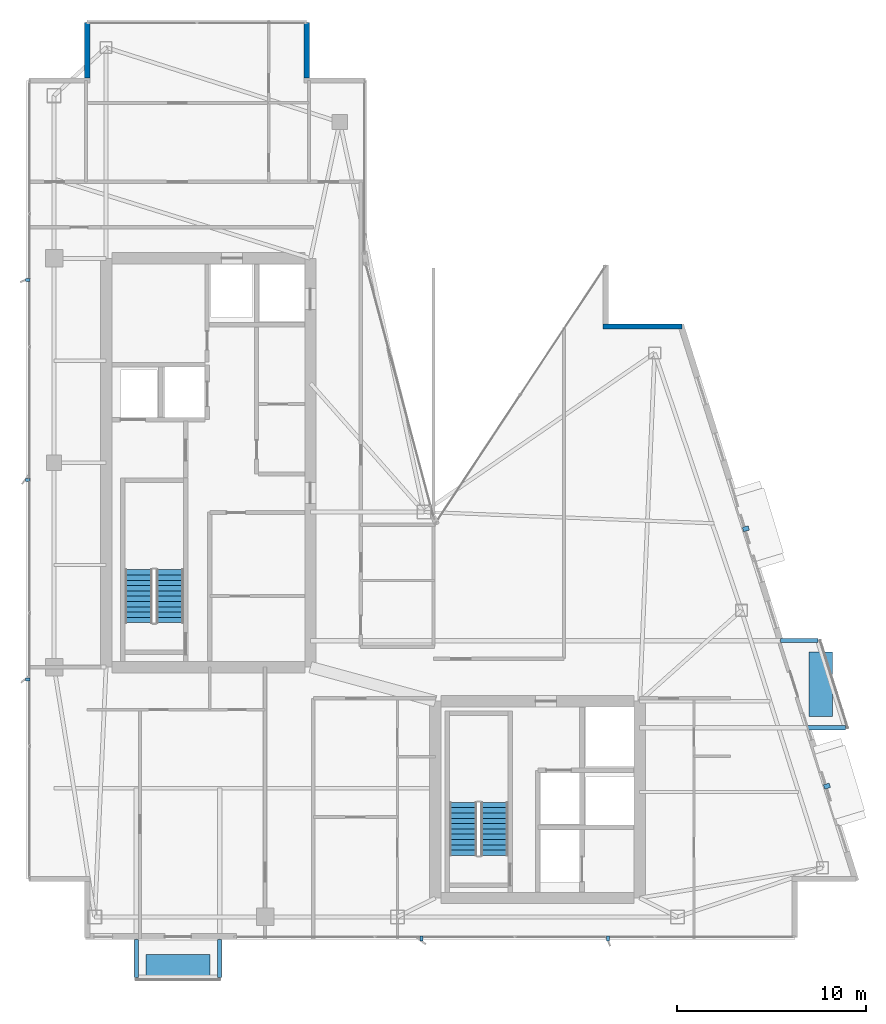
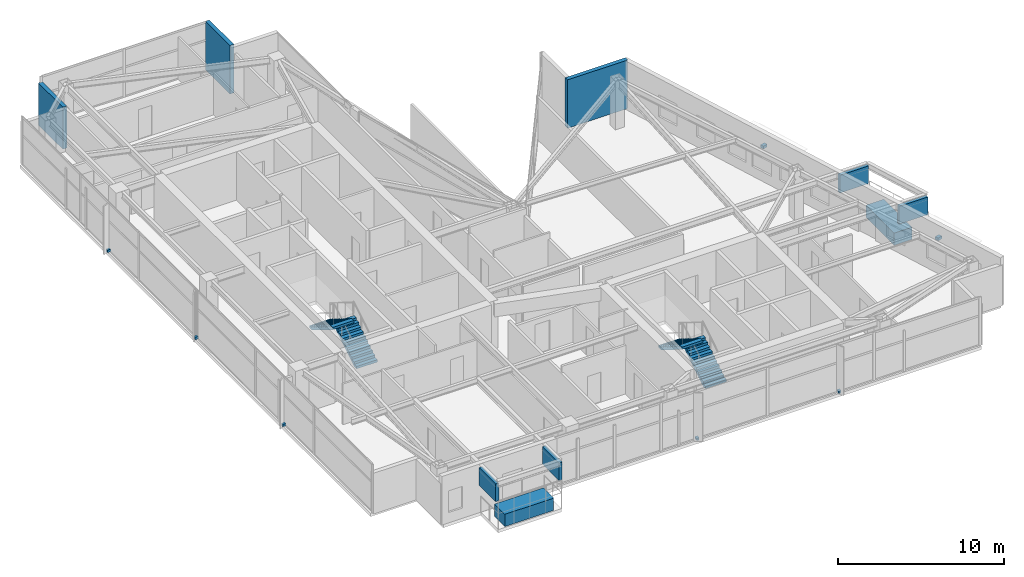
# One storey, part 26 of 28: 13 discrete accessories, 4 stair flights, 3 walls, 2 elements without a shape of their own.
"""IFC4 building model written with IfcOpenShell, lengths in metres."""

from ifc_helpers import new_model, si_unit, direction, frame, frame_2d, origin, origin_2d, place, context, subcontext, project, spatial, polyline, rectangle, outline, extrude, material, layer, layer_set, type_object, element, aggregate, save


model = new_model("IFC4")

# Units and contexts
model_context = context("Model", 3, precision=1e-05, world=origin(), true_north=direction((0.0, 1.0)))
body_context = subcontext(model_context, "Body", "Model", "MODEL_VIEW")
ifc_project = project(units=[si_unit("LENGTHUNIT", "METRE"), si_unit("AREAUNIT", "SQUARE_METRE"), si_unit("VOLUMEUNIT", "CUBIC_METRE"), si_unit("PLANEANGLEUNIT", "RADIAN"), si_unit("MASSUNIT", "GRAM", prefix="KILO")], contexts=[model_context])

# Site, building, storey
site_placement = place(None, origin())
site = spatial("IfcSite", under=ifc_project, at=site_placement, CompositionType="ELEMENT")
building_placement = place(site_placement, origin())
building = spatial("IfcBuilding", under=site, at=building_placement, Name="Calvorn Quay Hotel", CompositionType="ELEMENT")
storey_placement = place(building_placement, frame((0.0, 0.0, 271.10009765625)))
storey = spatial("IfcBuildingStorey", under=building, at=storey_placement, Name="L67", CompositionType="ELEMENT", Elevation=271.10009765625)

# Walls
ifc_material_1 = material(Name="Concrete C40", Category="concrete")
ifc_layer = layer(ifc_material_1, 0.320068359375)
ifc_layer_set = layer_set([ifc_layer], Name="WL-EXT-SPANDREL-320")
wall_type = type_object("IfcWallType", Name="WL-EXT-SPANDREL-320", PredefinedType="SOLIDWALL", material=ifc_layer_set)
wall_1_placement = place(storey_placement, frame((34.639892578125, 34.800048828125, 0.0), z_axis=(0.0, 0.0, 1.0), x_axis=(-1.0, 0.0, 0.0)))
element("IfcWall", 1, at=wall_1_placement, inside=storey, type_object=wall_type, Name="Notched Corner Spandrel L67-NE1", PredefinedType="SOLIDWALL", context=body_context, shape_type="SweptSolid", body=[
    extrude(rectangle(XDim=4.179931640625, YDim=0.280029296875, at=frame_2d((2.08984375, 0.0))), origin(), (0.0, 0.0, 1.0), 3.559814453125),
])
wall_2_placement = place(storey_placement, frame((14.800048828125, 47.93994140625, 0.0), z_axis=(0.0, 0.0, 1.0), x_axis=(0.0, 1.0, 0.0)))
element("IfcWall", 2, at=wall_2_placement, inside=storey, type_object=wall_type, Name="Notched Corner Spandrel L67-NWE2", PredefinedType="SOLIDWALL", context=body_context, shape_type="SweptSolid", body=[
    extrude(rectangle(XDim=2.93994140625, YDim=0.280029296875, at=frame_2d((1.469970703125, 0.0))), origin(), (0.0, 0.0, 1.0), 3.559814453125),
])
wall_3_placement = place(storey_placement, frame((3.199951171875, 50.8798828125, 0.0), z_axis=(0.0, 0.0, 1.0), x_axis=(0.0, -1.0, 0.0)))
element("IfcWall", 3, at=wall_3_placement, inside=storey, type_object=wall_type, Name="Notched Corner Spandrel L67-NW1", PredefinedType="SOLIDWALL", context=body_context, shape_type="SweptSolid", body=[
    extrude(rectangle(XDim=2.93994140625, YDim=0.280029296875, at=frame_2d((1.469970703125, 0.0))), origin(), (0.0, 0.0, 1.0), 3.08984375),
])

# Stair, stair flights
ifc_material_2 = material(Name="Concrete C40", Category="concrete")
stair_type = type_object("IfcStairType", Name="STR-CORE-DOGLEG", PredefinedType="HALF_TURN_STAIR", material=ifc_material_2)
stair_1_placement = place(storey_placement, origin())
stair_1 = element("IfcStair", 4, at=stair_1_placement, inside=storey, type_object=stair_type, Name="L67 ST-W", PredefinedType="HALF_TURN_STAIR")
ifc_material_3 = material(Name="Concrete C40", Category="concrete")
stair_flight_type = type_object("IfcStairFlightType", Name="FLT-CORE-1550", PredefinedType="STRAIGHT", material=ifc_material_3)
stair_flight_1_placement = place(storey_placement, frame((7.574951171875, 19.14990234375, 0.0), z_axis=(0.0, 0.0, 1.0), x_axis=(0.0, 1.0, 0.0)))
stair_flight_1 = element("IfcStairFlight", 5, at=stair_flight_1_placement, type_object=stair_flight_type, Name="ST-W flight 1", NumberOfRisers=11, NumberOfTreads=10, PredefinedType="STRAIGHT", RiserHeight=0.172727273, TreadLength=0.28, context=body_context, shape_type="SweptSolid", body=[
    extrude(outline(polyline([(0.0, 0.0), (0.0, 0.172607421875), (0.280029296875, 0.172607421875), (0.280029296875, 0.345458984375), (0.56005859375, 0.345458984375), (0.56005859375, 0.51806640625), (0.840087890625, 0.51806640625), (0.840087890625, 0.69091796875), (1.1201171875, 0.69091796875), (1.1201171875, 0.863525390625), (1.39990234375, 0.863525390625), (1.39990234375, 1.036376953125), (1.679931640625, 1.036376953125), (1.679931640625, 1.208984375), (1.9599609375, 1.208984375), (1.9599609375, 1.3818359375), (2.239990234375, 1.3818359375), (2.239990234375, 1.554443359375), (2.52001953125, 1.554443359375), (2.52001953125, 1.727294921875), (2.800048828125, 1.727294921875), (2.800048828125, 1.89990234375), (2.800048828125, 1.551025390625), (0.285400390625, 0.0), (0.0, 0.0)])), frame((0.0, 0.72509765625, 0.0), z_axis=(0.0, -1.0, 0.0), x_axis=(1.0, 0.0, 0.0)), (0.0, 0.0, 1.0), 1.449951171875),
])
stair_flight_2_placement = place(storey_placement, frame((5.925048828125, 21.949951171875, 1.89990234375), z_axis=(0.0, 0.0, 1.0), x_axis=(0.0, -1.0, 0.0)))
stair_flight_2 = element("IfcStairFlight", 6, at=stair_flight_2_placement, type_object=stair_flight_type, Name="ST-W flight 2", NumberOfRisers=11, NumberOfTreads=10, PredefinedType="STRAIGHT", RiserHeight=0.172727273, TreadLength=0.28, context=body_context, shape_type="SweptSolid", body=[
    extrude(outline(polyline([(0.0, 0.0), (0.0, 0.172607421875), (0.280029296875, 0.172607421875), (0.280029296875, 0.345458984375), (0.56005859375, 0.345458984375), (0.56005859375, 0.51806640625), (0.840087890625, 0.51806640625), (0.840087890625, 0.69091796875), (1.1201171875, 0.69091796875), (1.1201171875, 0.863525390625), (1.39990234375, 0.863525390625), (1.39990234375, 1.036376953125), (1.679931640625, 1.036376953125), (1.679931640625, 1.208984375), (1.9599609375, 1.208984375), (1.9599609375, 1.3818359375), (2.239990234375, 1.3818359375), (2.239990234375, 1.554443359375), (2.52001953125, 1.554443359375), (2.52001953125, 1.727294921875), (2.800048828125, 1.727294921875), (2.800048828125, 1.89990234375), (2.800048828125, 1.551025390625), (0.285400390625, 0.0), (0.0, 0.0)])), frame((0.0, 0.72509765625, 0.0), z_axis=(0.0, -1.0, 0.0), x_axis=(1.0, 0.0, 0.0)), (0.0, 0.0, 1.0), 1.449951171875),
])
aggregate(stair_1, [stair_flight_1, stair_flight_2])

stair_2_placement = place(storey_placement, origin())
stair_2 = element("IfcStair", 7, at=stair_2_placement, inside=storey, type_object=stair_type, Name="L67 ST-E", PredefinedType="HALF_TURN_STAIR")
stair_flight_3_placement = place(storey_placement, frame((24.72509765625, 6.85009765625, 0.0), z_axis=(0.0, 0.0, 1.0), x_axis=(0.0, 1.0, 0.0)))
stair_flight_3 = element("IfcStairFlight", 8, at=stair_flight_3_placement, type_object=stair_flight_type, Name="ST-E flight 1", NumberOfRisers=11, NumberOfTreads=10, PredefinedType="STRAIGHT", RiserHeight=0.172727273, TreadLength=0.28, context=body_context, shape_type="SweptSolid", body=[
    extrude(outline(polyline([(0.0, 0.0), (0.0, 0.172607421875), (0.280029296875, 0.172607421875), (0.280029296875, 0.345458984375), (0.56005859375, 0.345458984375), (0.56005859375, 0.51806640625), (0.840087890625, 0.51806640625), (0.840087890625, 0.69091796875), (1.1201171875, 0.69091796875), (1.1201171875, 0.863525390625), (1.39990234375, 0.863525390625), (1.39990234375, 1.036376953125), (1.679931640625, 1.036376953125), (1.679931640625, 1.208984375), (1.9599609375, 1.208984375), (1.9599609375, 1.3818359375), (2.239990234375, 1.3818359375), (2.239990234375, 1.554443359375), (2.52001953125, 1.554443359375), (2.52001953125, 1.727294921875), (2.800048828125, 1.727294921875), (2.800048828125, 1.89990234375), (2.800048828125, 1.551025390625), (0.285400390625, 0.0), (0.0, 0.0)])), frame((0.0, 0.72509765625, 0.0), z_axis=(0.0, -1.0, 0.0), x_axis=(1.0, 0.0, 0.0)), (0.0, 0.0, 1.0), 1.449951171875),
])
stair_flight_4_placement = place(storey_placement, frame((23.074951171875, 9.64990234375, 1.89990234375), z_axis=(0.0, 0.0, 1.0), x_axis=(0.0, -1.0, 0.0)))
stair_flight_4 = element("IfcStairFlight", 9, at=stair_flight_4_placement, type_object=stair_flight_type, Name="ST-E flight 2", NumberOfRisers=11, NumberOfTreads=10, PredefinedType="STRAIGHT", RiserHeight=0.172727273, TreadLength=0.28, context=body_context, shape_type="SweptSolid", body=[
    extrude(outline(polyline([(0.0, 0.0), (0.0, 0.172607421875), (0.280029296875, 0.172607421875), (0.280029296875, 0.345458984375), (0.56005859375, 0.345458984375), (0.56005859375, 0.51806640625), (0.840087890625, 0.51806640625), (0.840087890625, 0.69091796875), (1.1201171875, 0.69091796875), (1.1201171875, 0.863525390625), (1.39990234375, 0.863525390625), (1.39990234375, 1.036376953125), (1.679931640625, 1.036376953125), (1.679931640625, 1.208984375), (1.9599609375, 1.208984375), (1.9599609375, 1.3818359375), (2.239990234375, 1.3818359375), (2.239990234375, 1.554443359375), (2.52001953125, 1.554443359375), (2.52001953125, 1.727294921875), (2.800048828125, 1.727294921875), (2.800048828125, 1.89990234375), (2.800048828125, 1.551025390625), (0.285400390625, 0.0), (0.0, 0.0)])), frame((0.0, 0.72509765625, 0.0), z_axis=(0.0, -1.0, 0.0), x_axis=(1.0, 0.0, 0.0)), (0.0, 0.0, 1.0), 1.449951171875),
])
aggregate(stair_2, [stair_flight_3, stair_flight_4])

# Discrete accessories
ifc_material_4 = material(Name="Steel Q355B", Category="steel")
discrete_accessory_type_1 = type_object("IfcDiscreteAccessoryType", Name="ACC-BALC-STRUT", PredefinedType="BRACKET", material=ifc_material_4)
for number, where, z_axis, x_axis, name in (
    (10, (42.27392578125, 13.60009765625, 2.0146484375), (0.0, 0.0, 1.0), (1.0, 0.0, 0.0), "Exterior Balcony Steel Bracket L68-BALC-E-A"),
    (11, (40.824951171875, 18.199951171875, 2.0146484375), (0.0, 0.0, 1.0), (1.0, 0.0, 0.0), "Exterior Balcony Steel Bracket L68-BALC-E-B"),
):
    element("IfcDiscreteAccessory", number, at=place(storey_placement, frame(where, z_axis=z_axis, x_axis=x_axis)), inside=storey, type_object=discrete_accessory_type_1, Name=name, PredefinedType="BRACKET", context=body_context, shape_type="SweptSolid", body=[
        extrude(rectangle(XDim=1.989990234375, YDim=0.219970703125, at=origin_2d()), origin(), (0.0, 0.0, 1.0), 1.300048828125),
    ])
for number, where, z_axis, x_axis, name in (
    (12, (5.800048828125, 1.405029296875, 2.0146484375), (0.0, 0.0, 1.0), (1.0, 0.0, 0.0), "Exterior Balcony Steel Bracket L68-BALC-S-A"),
    (13, (10.199951171875, 1.405029296875, 2.0146484375), (0.0, 0.0, 1.0), (1.0, 0.0, 0.0), "Exterior Balcony Steel Bracket L68-BALC-S-B"),
):
    element("IfcDiscreteAccessory", number, at=place(storey_placement, frame(where, z_axis=z_axis, x_axis=x_axis)), inside=storey, type_object=discrete_accessory_type_1, Name=name, PredefinedType="BRACKET", context=body_context, shape_type="SweptSolid", body=[
        extrude(rectangle(XDim=0.219970703125, YDim=1.989990234375, at=origin_2d()), origin(), (0.0, 0.0, 1.0), 1.300048828125),
    ])
ifc_material_5 = material(Name="Steel Q355B", Category="steel")
discrete_accessory_type_2 = type_object("IfcDiscreteAccessoryType", Name="ACC-FIN-BRACKET", PredefinedType="BRACKET", material=ifc_material_5)
for number, where, z_axis, x_axis, name in (
    (14, (0.06005859375, 16.14990234375, 0.02978515625), (0.0, 0.0, 1.0), (1.0, 0.0, 0.0), "Fin Anchor Bracket L67-W01"),
    (15, (0.06005859375, 26.699951171875, 0.02978515625), (0.0, 0.0, 1.0), (1.0, 0.0, 0.0), "Fin Anchor Bracket L67-W02"),
    (16, (0.06005859375, 37.25, 0.02978515625), (0.0, 0.0, 1.0), (1.0, 0.0, 0.0), "Fin Anchor Bracket L67-W03"),
    (17, (20.866943359375, 2.4599609375, 0.02978515625), (0.0, 0.0, 1.0), (0.0, 1.0, 0.0), "Fin Anchor Bracket L67-S01"),
    (18, (30.73291015625, 2.4599609375, 0.02978515625), (0.0, 0.0, 1.0), (0.0, 1.0, 0.0), "Fin Anchor Bracket L67-S02"),
):
    element("IfcDiscreteAccessory", number, at=place(storey_placement, frame(where, z_axis=z_axis, x_axis=x_axis)), inside=storey, type_object=discrete_accessory_type_2, Name=name, PredefinedType="BRACKET", context=body_context, shape_type="SweptSolid", body=[
        extrude(rectangle(XDim=0.239990234375, YDim=0.159912109375, at=origin_2d()), origin(), (0.0, 0.0, 1.0), 0.179931640625),
    ])
for number, where, z_axis, x_axis, name in (
    (19, (42.294921875, 10.511962890625, 2.3701171875), (0.0, 0.0, 1.0), (0.957319497532, 0.289031796944, 0.0), "Bay Hood Support Bracket L67-HOOD-1"),
    (20, (38.010009765625, 24.112060546875, 2.3701171875), (0.0, 0.0, 1.0), (0.957319497532, 0.289031796944, 0.0), "Bay Hood Support Bracket L67-HOOD-3"),
):
    element("IfcDiscreteAccessory", number, at=place(storey_placement, frame(where, z_axis=z_axis, x_axis=x_axis)), inside=storey, type_object=discrete_accessory_type_2, Name=name, PredefinedType="BRACKET", context=body_context, shape_type="SweptSolid", body=[
        extrude(rectangle(XDim=0.320068359375, YDim=0.239990234375, at=origin_2d()), origin(), (0.0, 0.0, 1.0), 0.199951171875),
    ])
ifc_material_6 = material(Name="Precast concrete C40", Category="concrete")
discrete_accessory_type_3 = type_object("IfcDiscreteAccessoryType", Name="ACC-TREE-PLANTER", PredefinedType="USERDEFINED", material=ifc_material_6)
discrete_accessory_1_placement = place(storey_placement, frame((41.965087890625, 15.89990234375, 0.0), z_axis=(0.0, 0.0, 1.0), x_axis=(1.0, 0.0, 0.0)))
element("IfcDiscreteAccessory", 21, at=discrete_accessory_1_placement, inside=storey, type_object=discrete_accessory_type_3, Name="Subtropical Tree Structural Planter L67-BALC-E", ObjectType="PLANTER", PredefinedType="USERDEFINED", context=body_context, shape_type="SweptSolid", body=[
    extrude(rectangle(XDim=1.25, YDim=3.39990234375, at=origin_2d()), origin(), (0.0, 0.0, 1.0), 0.89990234375),
])
discrete_accessory_2_placement = place(storey_placement, frame((8.0, 0.989990234375, 0.0), z_axis=(0.0, 0.0, 1.0), x_axis=(1.0, 0.0, 0.0)))
element("IfcDiscreteAccessory", 22, at=discrete_accessory_2_placement, inside=storey, type_object=discrete_accessory_type_3, Name="Subtropical Tree Structural Planter L67-BALC-S", ObjectType="PLANTER", PredefinedType="USERDEFINED", context=body_context, shape_type="SweptSolid", body=[
    extrude(rectangle(XDim=3.39990234375, YDim=1.25, at=origin_2d()), origin(), (0.0, 0.0, 1.0), 0.89990234375),
])

save(model, "model.ifc")
